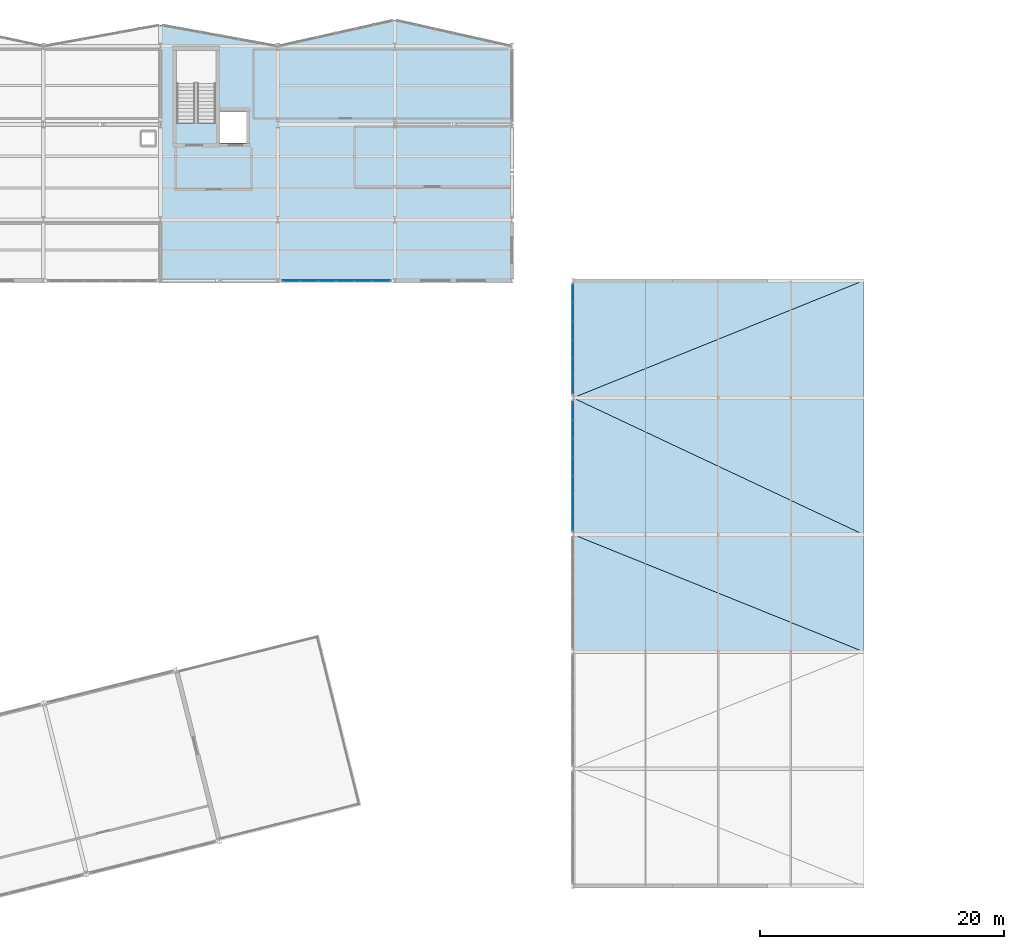
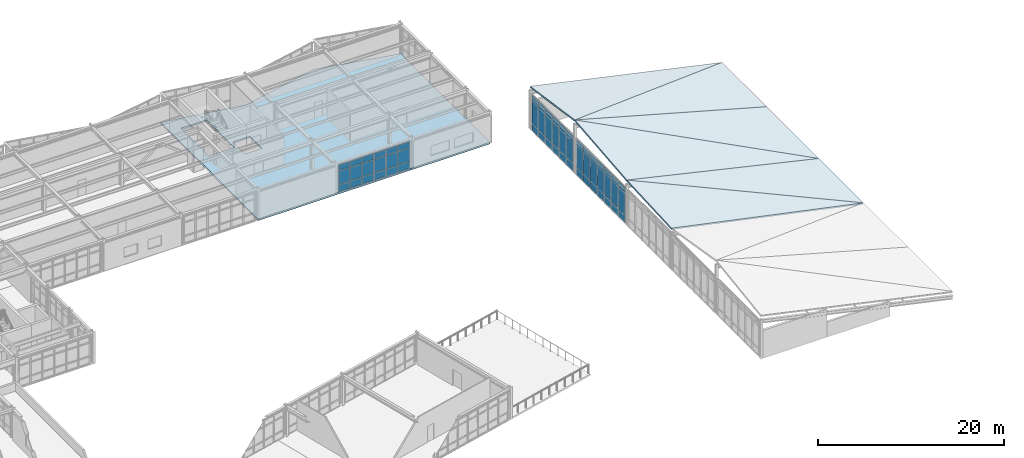
# One storey, part 49 of 64: 57 plates, 7 slabs, 3 elements without a shape of their own.
"""IFC4 building model written with IfcOpenShell, lengths in metres."""

from ifc_helpers import new_model, si_unit, direction, frame, origin, origin_2d, place, context, subcontext, project, spatial, polyline, rectangle, outline, extrude, material, layer, layer_set, type_object, element, aggregate, save


model = new_model("IFC4")

# Units and contexts
model_context = context("Model", 3, precision=1e-05, world=origin(), true_north=direction((0.0, 1.0)))
body_context = subcontext(model_context, "Body", "Model", "MODEL_VIEW")
ifc_project = project(units=[si_unit("LENGTHUNIT", "METRE"), si_unit("AREAUNIT", "SQUARE_METRE"), si_unit("VOLUMEUNIT", "CUBIC_METRE"), si_unit("PLANEANGLEUNIT", "RADIAN"), si_unit("MASSUNIT", "GRAM", prefix="KILO")], contexts=[model_context])

# Site, building, storey
site_placement = place(None, origin())
site = spatial("IfcSite", under=ifc_project, at=site_placement, CompositionType="ELEMENT")
building_placement = place(site_placement, origin())
building = spatial("IfcBuilding", under=site, at=building_placement, Name="Nordkorset Police Headquarters", CompositionType="ELEMENT")
storey_placement = place(building_placement, frame((0.0, 0.0, 17.85009765625)))
storey = spatial("IfcBuildingStorey", under=building, at=storey_placement, Name="L04", CompositionType="ELEMENT", Elevation=17.85009765625)

# Curtain wall, plates
ifc_material_1 = material(Name="Aluminium alloy AW-6060", Category="aluminium")
ifc_layer_1 = layer(ifc_material_1, 0.179931640625, Name="Aluminium alloy AW-6060")
ifc_layer_set_1 = layer_set([ifc_layer_1], Name="Aluminium alloy AW-6060")
curtain_wall_type_1 = type_object("IfcCurtainWallType", Name="CW_Unit_888x366", PredefinedType="USERDEFINED", material=ifc_layer_set_1)
curtain_wall_1_placement = place(storey_placement, origin())
curtain_wall_1 = element("IfcCurtainWall", 1, at=curtain_wall_1_placement, inside=storey, type_object=curtain_wall_type_1, Name="Unitised Curtain Wall L04 V2S-4", ObjectType="UNITISED CURTAIN WALL", PredefinedType="USERDEFINED")
ifc_material_2 = material(Name="Low-iron triple glazing", Category="glass")
ifc_layer_2 = layer(ifc_material_2, 0.035888671875, Name="Low-iron triple glazing")
ifc_layer_set_2 = layer_set([ifc_layer_2], Name="Low-iron triple glazing")
plate_type = type_object("IfcPlateType", Name="CW_Panel_TripleGlazing_36", PredefinedType="CURTAIN_PANEL", material=ifc_layer_set_2)
plate_1_placement = place(storey_placement, frame((68.316162109375, 97.60009765625, 0.06494140625), z_axis=(0.0, 0.0, 1.0), x_axis=(1.0, 0.0, 0.0)))
plate_1 = element("IfcPlate", 2, at=plate_1_placement, type_object=plate_type, Name="CW-19 panel 1.1", PredefinedType="CURTAIN_PANEL", context=body_context, shape_type="SweptSolid", body=[
    extrude(rectangle(XDim=1.382568359375, YDim=0.035888671875, at=origin_2d()), origin(), (0.0, 0.0, 1.0), 0.902587890625),
])
plate_2_placement = place(storey_placement, frame((68.316162109375, 97.60009765625, 1.0322265625), z_axis=(0.0, 0.0, 1.0), x_axis=(1.0, 0.0, 0.0)))
plate_2 = element("IfcPlate", 3, at=plate_2_placement, type_object=plate_type, Name="CW-19 panel 1.2", PredefinedType="CURTAIN_PANEL", context=body_context, shape_type="SweptSolid", body=[
    extrude(rectangle(XDim=1.382568359375, YDim=0.035888671875, at=origin_2d()), origin(), (0.0, 0.0, 1.0), 1.739990234375),
])
plate_3_placement = place(storey_placement, frame((68.316162109375, 97.60009765625, 2.83740234375), z_axis=(0.0, 0.0, 1.0), x_axis=(1.0, 0.0, 0.0)))
plate_3 = element("IfcPlate", 4, at=plate_3_placement, type_object=plate_type, Name="CW-19 panel 1.3", PredefinedType="CURTAIN_PANEL", context=body_context, shape_type="SweptSolid", body=[
    extrude(rectangle(XDim=1.382568359375, YDim=0.035888671875, at=origin_2d()), origin(), (0.0, 0.0, 1.0), 0.75244140625),
])
plate_4_placement = place(storey_placement, frame((69.780029296875, 97.60009765625, 0.06494140625), z_axis=(0.0, 0.0, 1.0), x_axis=(1.0, 0.0, 0.0)))
plate_4 = element("IfcPlate", 5, at=plate_4_placement, type_object=plate_type, Name="CW-19 panel 2.1", PredefinedType="CURTAIN_PANEL", context=body_context, shape_type="SweptSolid", body=[
    extrude(rectangle(XDim=1.4150390625, YDim=0.035888671875, at=origin_2d()), origin(), (0.0, 0.0, 1.0), 0.902587890625),
])
plate_5_placement = place(storey_placement, frame((69.780029296875, 97.60009765625, 1.0322265625), z_axis=(0.0, 0.0, 1.0), x_axis=(1.0, 0.0, 0.0)))
plate_5 = element("IfcPlate", 6, at=plate_5_placement, type_object=plate_type, Name="CW-19 panel 2.2", PredefinedType="CURTAIN_PANEL", context=body_context, shape_type="SweptSolid", body=[
    extrude(rectangle(XDim=1.4150390625, YDim=0.035888671875, at=origin_2d()), origin(), (0.0, 0.0, 1.0), 1.739990234375),
])
plate_6_placement = place(storey_placement, frame((69.780029296875, 97.60009765625, 2.83740234375), z_axis=(0.0, 0.0, 1.0), x_axis=(1.0, 0.0, 0.0)))
plate_6 = element("IfcPlate", 7, at=plate_6_placement, type_object=plate_type, Name="CW-19 panel 2.3", PredefinedType="CURTAIN_PANEL", context=body_context, shape_type="SweptSolid", body=[
    extrude(rectangle(XDim=1.4150390625, YDim=0.035888671875, at=origin_2d()), origin(), (0.0, 0.0, 1.0), 0.75244140625),
])
plate_7_placement = place(storey_placement, frame((71.260009765625, 97.60009765625, 0.06494140625), z_axis=(0.0, 0.0, 1.0), x_axis=(1.0, 0.0, 0.0)))
plate_7 = element("IfcPlate", 8, at=plate_7_placement, type_object=plate_type, Name="CW-19 panel 3.1", PredefinedType="CURTAIN_PANEL", context=body_context, shape_type="SweptSolid", body=[
    extrude(rectangle(XDim=1.4150390625, YDim=0.035888671875, at=origin_2d()), origin(), (0.0, 0.0, 1.0), 0.902587890625),
])
plate_8_placement = place(storey_placement, frame((71.260009765625, 97.60009765625, 1.0322265625), z_axis=(0.0, 0.0, 1.0), x_axis=(1.0, 0.0, 0.0)))
plate_8 = element("IfcPlate", 9, at=plate_8_placement, type_object=plate_type, Name="CW-19 panel 3.2", PredefinedType="CURTAIN_PANEL", context=body_context, shape_type="SweptSolid", body=[
    extrude(rectangle(XDim=1.4150390625, YDim=0.035888671875, at=origin_2d()), origin(), (0.0, 0.0, 1.0), 1.739990234375),
])
plate_9_placement = place(storey_placement, frame((71.260009765625, 97.60009765625, 2.83740234375), z_axis=(0.0, 0.0, 1.0), x_axis=(1.0, 0.0, 0.0)))
plate_9 = element("IfcPlate", 10, at=plate_9_placement, type_object=plate_type, Name="CW-19 panel 3.3", PredefinedType="CURTAIN_PANEL", context=body_context, shape_type="SweptSolid", body=[
    extrude(rectangle(XDim=1.4150390625, YDim=0.035888671875, at=origin_2d()), origin(), (0.0, 0.0, 1.0), 0.75244140625),
])
plate_10_placement = place(storey_placement, frame((72.739990234375, 97.60009765625, 0.06494140625), z_axis=(0.0, 0.0, 1.0), x_axis=(1.0, 0.0, 0.0)))
plate_10 = element("IfcPlate", 11, at=plate_10_placement, type_object=plate_type, Name="CW-19 panel 4.1", PredefinedType="CURTAIN_PANEL", context=body_context, shape_type="SweptSolid", body=[
    extrude(rectangle(XDim=1.4150390625, YDim=0.035888671875, at=origin_2d()), origin(), (0.0, 0.0, 1.0), 0.902587890625),
])
plate_11_placement = place(storey_placement, frame((72.739990234375, 97.60009765625, 1.0322265625), z_axis=(0.0, 0.0, 1.0), x_axis=(1.0, 0.0, 0.0)))
plate_11 = element("IfcPlate", 12, at=plate_11_placement, type_object=plate_type, Name="CW-19 panel 4.2", PredefinedType="CURTAIN_PANEL", context=body_context, shape_type="SweptSolid", body=[
    extrude(rectangle(XDim=1.4150390625, YDim=0.035888671875, at=origin_2d()), origin(), (0.0, 0.0, 1.0), 1.739990234375),
])
plate_12_placement = place(storey_placement, frame((72.739990234375, 97.60009765625, 2.83740234375), z_axis=(0.0, 0.0, 1.0), x_axis=(1.0, 0.0, 0.0)))
plate_12 = element("IfcPlate", 13, at=plate_12_placement, type_object=plate_type, Name="CW-19 panel 4.3", PredefinedType="CURTAIN_PANEL", context=body_context, shape_type="SweptSolid", body=[
    extrude(rectangle(XDim=1.4150390625, YDim=0.035888671875, at=origin_2d()), origin(), (0.0, 0.0, 1.0), 0.75244140625),
])
plate_13_placement = place(storey_placement, frame((74.219970703125, 97.60009765625, 0.06494140625), z_axis=(0.0, 0.0, 1.0), x_axis=(1.0, 0.0, 0.0)))
plate_13 = element("IfcPlate", 14, at=plate_13_placement, type_object=plate_type, Name="CW-19 panel 5.1", PredefinedType="CURTAIN_PANEL", context=body_context, shape_type="SweptSolid", body=[
    extrude(rectangle(XDim=1.4150390625, YDim=0.035888671875, at=origin_2d()), origin(), (0.0, 0.0, 1.0), 0.902587890625),
])
plate_14_placement = place(storey_placement, frame((74.219970703125, 97.60009765625, 1.0322265625), z_axis=(0.0, 0.0, 1.0), x_axis=(1.0, 0.0, 0.0)))
plate_14 = element("IfcPlate", 15, at=plate_14_placement, type_object=plate_type, Name="CW-19 panel 5.2", PredefinedType="CURTAIN_PANEL", context=body_context, shape_type="SweptSolid", body=[
    extrude(rectangle(XDim=1.4150390625, YDim=0.035888671875, at=origin_2d()), origin(), (0.0, 0.0, 1.0), 1.739990234375),
])
plate_15_placement = place(storey_placement, frame((74.219970703125, 97.60009765625, 2.83740234375), z_axis=(0.0, 0.0, 1.0), x_axis=(1.0, 0.0, 0.0)))
plate_15 = element("IfcPlate", 16, at=plate_15_placement, type_object=plate_type, Name="CW-19 panel 5.3", PredefinedType="CURTAIN_PANEL", context=body_context, shape_type="SweptSolid", body=[
    extrude(rectangle(XDim=1.4150390625, YDim=0.035888671875, at=origin_2d()), origin(), (0.0, 0.0, 1.0), 0.75244140625),
])
plate_16_placement = place(storey_placement, frame((75.683837890625, 97.60009765625, 0.06494140625), z_axis=(0.0, 0.0, 1.0), x_axis=(1.0, 0.0, 0.0)))
plate_16 = element("IfcPlate", 17, at=plate_16_placement, type_object=plate_type, Name="CW-19 panel 6.1", PredefinedType="CURTAIN_PANEL", context=body_context, shape_type="SweptSolid", body=[
    extrude(rectangle(XDim=1.382568359375, YDim=0.035888671875, at=origin_2d()), origin(), (0.0, 0.0, 1.0), 0.902587890625),
])
plate_17_placement = place(storey_placement, frame((75.683837890625, 97.60009765625, 1.0322265625), z_axis=(0.0, 0.0, 1.0), x_axis=(1.0, 0.0, 0.0)))
plate_17 = element("IfcPlate", 18, at=plate_17_placement, type_object=plate_type, Name="CW-19 panel 6.2", PredefinedType="CURTAIN_PANEL", context=body_context, shape_type="SweptSolid", body=[
    extrude(rectangle(XDim=1.382568359375, YDim=0.035888671875, at=origin_2d()), origin(), (0.0, 0.0, 1.0), 1.739990234375),
])
plate_18_placement = place(storey_placement, frame((75.683837890625, 97.60009765625, 2.83740234375), z_axis=(0.0, 0.0, 1.0), x_axis=(1.0, 0.0, 0.0)))
plate_18 = element("IfcPlate", 19, at=plate_18_placement, type_object=plate_type, Name="CW-19 panel 6.3", PredefinedType="CURTAIN_PANEL", context=body_context, shape_type="SweptSolid", body=[
    extrude(rectangle(XDim=1.382568359375, YDim=0.035888671875, at=origin_2d()), origin(), (0.0, 0.0, 1.0), 0.75244140625),
])
aggregate(curtain_wall_1, [plate_1, plate_2, plate_3, plate_4, plate_5, plate_6, plate_7, plate_8, plate_9, plate_10, plate_11, plate_12, plate_13, plate_14, plate_15, plate_16, plate_17, plate_18])

ifc_material_3 = material(Name="Aluminium alloy AW-6060", Category="aluminium")
ifc_layer_3 = layer(ifc_material_3, 0.179931640625, Name="Aluminium alloy AW-6060")
ifc_layer_set_3 = layer_set([ifc_layer_3], Name="Aluminium alloy AW-6060")
curtain_wall_type_2 = type_object("IfcCurtainWallType", Name="CW_Unit_1060x479", PredefinedType="USERDEFINED", material=ifc_layer_set_3)
curtain_wall_2_placement = place(storey_placement, origin())
curtain_wall_2 = element("IfcCurtainWall", 20, at=curtain_wall_2_placement, inside=storey, type_object=curtain_wall_type_2, Name="Unitised Curtain Wall L04 V5CLER-3", ObjectType="UNITISED CURTAIN WALL", PredefinedType="USERDEFINED")
plate_19_placement = place(storey_placement, frame((91.39990234375, 77.873291015625, 0.06494140625), z_axis=(0.0, 0.0, 1.0), x_axis=(0.0, 1.0, 0.0)))
plate_19 = element("IfcPlate", 21, at=plate_19_placement, type_object=plate_type, Name="CW-45 panel 1.1", PredefinedType="CURTAIN_PANEL", context=body_context, shape_type="SweptSolid", body=[
    extrude(rectangle(XDim=1.416748046875, YDim=0.035888671875, at=origin_2d()), origin(), (0.0, 0.0, 1.0), 0.902587890625),
])
plate_20_placement = place(storey_placement, frame((91.39990234375, 77.873291015625, 1.032470703125), z_axis=(0.0, 0.0, 1.0), x_axis=(0.0, 1.0, 0.0)))
plate_20 = element("IfcPlate", 22, at=plate_20_placement, type_object=plate_type, Name="CW-45 panel 1.2", PredefinedType="CURTAIN_PANEL", context=body_context, shape_type="SweptSolid", body=[
    extrude(rectangle(XDim=1.416748046875, YDim=0.035888671875, at=origin_2d()), origin(), (0.0, 0.0, 1.0), 2.875),
])
plate_21_placement = place(storey_placement, frame((91.39990234375, 77.873291015625, 3.972412109375), z_axis=(0.0, 0.0, 1.0), x_axis=(0.0, 1.0, 0.0)))
plate_21 = element("IfcPlate", 23, at=plate_21_placement, type_object=plate_type, Name="CW-45 panel 1.3", PredefinedType="CURTAIN_PANEL", context=body_context, shape_type="SweptSolid", body=[
    extrude(rectangle(XDim=1.416748046875, YDim=0.035888671875, at=origin_2d()), origin(), (0.0, 0.0, 1.0), 0.75244140625),
])
plate_22_placement = place(storey_placement, frame((91.39990234375, 79.371337890625, 0.06494140625), z_axis=(0.0, 0.0, 1.0), x_axis=(0.0, 1.0, 0.0)))
plate_22 = element("IfcPlate", 24, at=plate_22_placement, type_object=plate_type, Name="CW-45 panel 2.1", PredefinedType="CURTAIN_PANEL", context=body_context, shape_type="SweptSolid", body=[
    extrude(rectangle(XDim=1.44921875, YDim=0.035888671875, at=origin_2d()), origin(), (0.0, 0.0, 1.0), 0.902587890625),
])
plate_23_placement = place(storey_placement, frame((91.39990234375, 79.371337890625, 1.032470703125), z_axis=(0.0, 0.0, 1.0), x_axis=(0.0, 1.0, 0.0)))
plate_23 = element("IfcPlate", 25, at=plate_23_placement, type_object=plate_type, Name="CW-45 panel 2.2", PredefinedType="CURTAIN_PANEL", context=body_context, shape_type="SweptSolid", body=[
    extrude(rectangle(XDim=1.44921875, YDim=0.035888671875, at=origin_2d()), origin(), (0.0, 0.0, 1.0), 2.875),
])
plate_24_placement = place(storey_placement, frame((91.39990234375, 79.371337890625, 3.972412109375), z_axis=(0.0, 0.0, 1.0), x_axis=(0.0, 1.0, 0.0)))
plate_24 = element("IfcPlate", 26, at=plate_24_placement, type_object=plate_type, Name="CW-45 panel 2.3", PredefinedType="CURTAIN_PANEL", context=body_context, shape_type="SweptSolid", body=[
    extrude(rectangle(XDim=1.44921875, YDim=0.035888671875, at=origin_2d()), origin(), (0.0, 0.0, 1.0), 0.75244140625),
])
plate_25_placement = place(storey_placement, frame((91.39990234375, 80.8857421875, 0.06494140625), z_axis=(0.0, 0.0, 1.0), x_axis=(0.0, 1.0, 0.0)))
plate_25 = element("IfcPlate", 27, at=plate_25_placement, type_object=plate_type, Name="CW-45 panel 3.1", PredefinedType="CURTAIN_PANEL", context=body_context, shape_type="SweptSolid", body=[
    extrude(rectangle(XDim=1.44921875, YDim=0.035888671875, at=origin_2d()), origin(), (0.0, 0.0, 1.0), 0.902587890625),
])
plate_26_placement = place(storey_placement, frame((91.39990234375, 80.8857421875, 1.032470703125), z_axis=(0.0, 0.0, 1.0), x_axis=(0.0, 1.0, 0.0)))
plate_26 = element("IfcPlate", 28, at=plate_26_placement, type_object=plate_type, Name="CW-45 panel 3.2", PredefinedType="CURTAIN_PANEL", context=body_context, shape_type="SweptSolid", body=[
    extrude(rectangle(XDim=1.44921875, YDim=0.035888671875, at=origin_2d()), origin(), (0.0, 0.0, 1.0), 2.875),
])
plate_27_placement = place(storey_placement, frame((91.39990234375, 80.8857421875, 3.972412109375), z_axis=(0.0, 0.0, 1.0), x_axis=(0.0, 1.0, 0.0)))
plate_27 = element("IfcPlate", 29, at=plate_27_placement, type_object=plate_type, Name="CW-45 panel 3.3", PredefinedType="CURTAIN_PANEL", context=body_context, shape_type="SweptSolid", body=[
    extrude(rectangle(XDim=1.44921875, YDim=0.035888671875, at=origin_2d()), origin(), (0.0, 0.0, 1.0), 0.75244140625),
])
plate_28_placement = place(storey_placement, frame((91.39990234375, 82.39990234375, 0.06494140625), z_axis=(0.0, 0.0, 1.0), x_axis=(0.0, 1.0, 0.0)))
plate_28 = element("IfcPlate", 30, at=plate_28_placement, type_object=plate_type, Name="CW-45 panel 4.1", PredefinedType="CURTAIN_PANEL", context=body_context, shape_type="SweptSolid", body=[
    extrude(rectangle(XDim=1.44921875, YDim=0.035888671875, at=origin_2d()), origin(), (0.0, 0.0, 1.0), 0.902587890625),
])
plate_29_placement = place(storey_placement, frame((91.39990234375, 82.39990234375, 1.032470703125), z_axis=(0.0, 0.0, 1.0), x_axis=(0.0, 1.0, 0.0)))
plate_29 = element("IfcPlate", 31, at=plate_29_placement, type_object=plate_type, Name="CW-45 panel 4.2", PredefinedType="CURTAIN_PANEL", context=body_context, shape_type="SweptSolid", body=[
    extrude(rectangle(XDim=1.44921875, YDim=0.035888671875, at=origin_2d()), origin(), (0.0, 0.0, 1.0), 2.875),
])
plate_30_placement = place(storey_placement, frame((91.39990234375, 82.39990234375, 3.972412109375), z_axis=(0.0, 0.0, 1.0), x_axis=(0.0, 1.0, 0.0)))
plate_30 = element("IfcPlate", 32, at=plate_30_placement, type_object=plate_type, Name="CW-45 panel 4.3", PredefinedType="CURTAIN_PANEL", context=body_context, shape_type="SweptSolid", body=[
    extrude(rectangle(XDim=1.44921875, YDim=0.035888671875, at=origin_2d()), origin(), (0.0, 0.0, 1.0), 0.75244140625),
])
plate_31_placement = place(storey_placement, frame((91.39990234375, 83.914306640625, 0.06494140625), z_axis=(0.0, 0.0, 1.0), x_axis=(0.0, 1.0, 0.0)))
plate_31 = element("IfcPlate", 33, at=plate_31_placement, type_object=plate_type, Name="CW-45 panel 5.1", PredefinedType="CURTAIN_PANEL", context=body_context, shape_type="SweptSolid", body=[
    extrude(rectangle(XDim=1.44921875, YDim=0.035888671875, at=origin_2d()), origin(), (0.0, 0.0, 1.0), 0.902587890625),
])
plate_32_placement = place(storey_placement, frame((91.39990234375, 83.914306640625, 1.032470703125), z_axis=(0.0, 0.0, 1.0), x_axis=(0.0, 1.0, 0.0)))
plate_32 = element("IfcPlate", 34, at=plate_32_placement, type_object=plate_type, Name="CW-45 panel 5.2", PredefinedType="CURTAIN_PANEL", context=body_context, shape_type="SweptSolid", body=[
    extrude(rectangle(XDim=1.44921875, YDim=0.035888671875, at=origin_2d()), origin(), (0.0, 0.0, 1.0), 2.875),
])
plate_33_placement = place(storey_placement, frame((91.39990234375, 83.914306640625, 3.972412109375), z_axis=(0.0, 0.0, 1.0), x_axis=(0.0, 1.0, 0.0)))
plate_33 = element("IfcPlate", 35, at=plate_33_placement, type_object=plate_type, Name="CW-45 panel 5.3", PredefinedType="CURTAIN_PANEL", context=body_context, shape_type="SweptSolid", body=[
    extrude(rectangle(XDim=1.44921875, YDim=0.035888671875, at=origin_2d()), origin(), (0.0, 0.0, 1.0), 0.75244140625),
])
plate_34_placement = place(storey_placement, frame((91.39990234375, 85.428466796875, 0.06494140625), z_axis=(0.0, 0.0, 1.0), x_axis=(0.0, 1.0, 0.0)))
plate_34 = element("IfcPlate", 36, at=plate_34_placement, type_object=plate_type, Name="CW-45 panel 6.1", PredefinedType="CURTAIN_PANEL", context=body_context, shape_type="SweptSolid", body=[
    extrude(rectangle(XDim=1.44921875, YDim=0.035888671875, at=origin_2d()), origin(), (0.0, 0.0, 1.0), 0.902587890625),
])
plate_35_placement = place(storey_placement, frame((91.39990234375, 85.428466796875, 1.032470703125), z_axis=(0.0, 0.0, 1.0), x_axis=(0.0, 1.0, 0.0)))
plate_35 = element("IfcPlate", 37, at=plate_35_placement, type_object=plate_type, Name="CW-45 panel 6.2", PredefinedType="CURTAIN_PANEL", context=body_context, shape_type="SweptSolid", body=[
    extrude(rectangle(XDim=1.44921875, YDim=0.035888671875, at=origin_2d()), origin(), (0.0, 0.0, 1.0), 2.875),
])
plate_36_placement = place(storey_placement, frame((91.39990234375, 85.428466796875, 3.972412109375), z_axis=(0.0, 0.0, 1.0), x_axis=(0.0, 1.0, 0.0)))
plate_36 = element("IfcPlate", 38, at=plate_36_placement, type_object=plate_type, Name="CW-45 panel 6.3", PredefinedType="CURTAIN_PANEL", context=body_context, shape_type="SweptSolid", body=[
    extrude(rectangle(XDim=1.44921875, YDim=0.035888671875, at=origin_2d()), origin(), (0.0, 0.0, 1.0), 0.75244140625),
])
plate_37_placement = place(storey_placement, frame((91.39990234375, 86.926513671875, 0.06494140625), z_axis=(0.0, 0.0, 1.0), x_axis=(0.0, 1.0, 0.0)))
plate_37 = element("IfcPlate", 39, at=plate_37_placement, type_object=plate_type, Name="CW-45 panel 7.1", PredefinedType="CURTAIN_PANEL", context=body_context, shape_type="SweptSolid", body=[
    extrude(rectangle(XDim=1.416748046875, YDim=0.035888671875, at=origin_2d()), origin(), (0.0, 0.0, 1.0), 0.902587890625),
])
plate_38_placement = place(storey_placement, frame((91.39990234375, 86.926513671875, 1.032470703125), z_axis=(0.0, 0.0, 1.0), x_axis=(0.0, 1.0, 0.0)))
plate_38 = element("IfcPlate", 40, at=plate_38_placement, type_object=plate_type, Name="CW-45 panel 7.2", PredefinedType="CURTAIN_PANEL", context=body_context, shape_type="SweptSolid", body=[
    extrude(rectangle(XDim=1.416748046875, YDim=0.035888671875, at=origin_2d()), origin(), (0.0, 0.0, 1.0), 2.875),
])
plate_39_placement = place(storey_placement, frame((91.39990234375, 86.926513671875, 3.972412109375), z_axis=(0.0, 0.0, 1.0), x_axis=(0.0, 1.0, 0.0)))
plate_39 = element("IfcPlate", 41, at=plate_39_placement, type_object=plate_type, Name="CW-45 panel 7.3", PredefinedType="CURTAIN_PANEL", context=body_context, shape_type="SweptSolid", body=[
    extrude(rectangle(XDim=1.416748046875, YDim=0.035888671875, at=origin_2d()), origin(), (0.0, 0.0, 1.0), 0.75244140625),
])
aggregate(curtain_wall_2, [plate_19, plate_20, plate_21, plate_22, plate_23, plate_24, plate_25, plate_26, plate_27, plate_28, plate_29, plate_30, plate_31, plate_32, plate_33, plate_34, plate_35, plate_36, plate_37, plate_38, plate_39])

ifc_material_4 = material(Name="Aluminium alloy AW-6060", Category="aluminium")
ifc_layer_4 = layer(ifc_material_4, 0.179931640625, Name="Aluminium alloy AW-6060")
ifc_layer_set_4 = layer_set([ifc_layer_4], Name="Aluminium alloy AW-6060")
curtain_wall_type_3 = type_object("IfcCurtainWallType", Name="CW_Unit_900x479", PredefinedType="USERDEFINED", material=ifc_layer_set_4)
curtain_wall_3_placement = place(storey_placement, origin())
curtain_wall_3 = element("IfcCurtainWall", 42, at=curtain_wall_3_placement, inside=storey, type_object=curtain_wall_type_3, Name="Unitised Curtain Wall L04 V5CLER-4", ObjectType="UNITISED CURTAIN WALL", PredefinedType="USERDEFINED")
plate_40_placement = place(storey_placement, frame((91.39990234375, 89.066162109375, 0.06494140625), z_axis=(0.0, 0.0, 1.0), x_axis=(0.0, 1.0, 0.0)))
plate_40 = element("IfcPlate", 43, at=plate_40_placement, type_object=plate_type, Name="CW-89 panel 1.1", PredefinedType="CURTAIN_PANEL", context=body_context, shape_type="SweptSolid", body=[
    extrude(rectangle(XDim=1.402587890625, YDim=0.035888671875, at=origin_2d()), origin(), (0.0, 0.0, 1.0), 0.902587890625),
])
plate_41_placement = place(storey_placement, frame((91.39990234375, 89.066162109375, 1.032470703125), z_axis=(0.0, 0.0, 1.0), x_axis=(0.0, 1.0, 0.0)))
plate_41 = element("IfcPlate", 44, at=plate_41_placement, type_object=plate_type, Name="CW-89 panel 1.2", PredefinedType="CURTAIN_PANEL", context=body_context, shape_type="SweptSolid", body=[
    extrude(rectangle(XDim=1.402587890625, YDim=0.035888671875, at=origin_2d()), origin(), (0.0, 0.0, 1.0), 2.875),
])
plate_42_placement = place(storey_placement, frame((91.39990234375, 89.066162109375, 3.972412109375), z_axis=(0.0, 0.0, 1.0), x_axis=(0.0, 1.0, 0.0)))
plate_42 = element("IfcPlate", 45, at=plate_42_placement, type_object=plate_type, Name="CW-89 panel 1.3", PredefinedType="CURTAIN_PANEL", context=body_context, shape_type="SweptSolid", body=[
    extrude(rectangle(XDim=1.402587890625, YDim=0.035888671875, at=origin_2d()), origin(), (0.0, 0.0, 1.0), 0.75244140625),
])
plate_43_placement = place(storey_placement, frame((91.39990234375, 90.550048828125, 0.06494140625), z_axis=(0.0, 0.0, 1.0), x_axis=(0.0, 1.0, 0.0)))
plate_43 = element("IfcPlate", 46, at=plate_43_placement, type_object=plate_type, Name="CW-89 panel 2.1", PredefinedType="CURTAIN_PANEL", context=body_context, shape_type="SweptSolid", body=[
    extrude(rectangle(XDim=1.43505859375, YDim=0.035888671875, at=origin_2d()), origin(), (0.0, 0.0, 1.0), 0.902587890625),
])
plate_44_placement = place(storey_placement, frame((91.39990234375, 90.550048828125, 1.032470703125), z_axis=(0.0, 0.0, 1.0), x_axis=(0.0, 1.0, 0.0)))
plate_44 = element("IfcPlate", 47, at=plate_44_placement, type_object=plate_type, Name="CW-89 panel 2.2", PredefinedType="CURTAIN_PANEL", context=body_context, shape_type="SweptSolid", body=[
    extrude(rectangle(XDim=1.43505859375, YDim=0.035888671875, at=origin_2d()), origin(), (0.0, 0.0, 1.0), 2.875),
])
plate_45_placement = place(storey_placement, frame((91.39990234375, 90.550048828125, 3.972412109375), z_axis=(0.0, 0.0, 1.0), x_axis=(0.0, 1.0, 0.0)))
plate_45 = element("IfcPlate", 48, at=plate_45_placement, type_object=plate_type, Name="CW-89 panel 2.3", PredefinedType="CURTAIN_PANEL", context=body_context, shape_type="SweptSolid", body=[
    extrude(rectangle(XDim=1.43505859375, YDim=0.035888671875, at=origin_2d()), origin(), (0.0, 0.0, 1.0), 0.75244140625),
])
plate_46_placement = place(storey_placement, frame((91.39990234375, 92.050048828125, 0.06494140625), z_axis=(0.0, 0.0, 1.0), x_axis=(0.0, 1.0, 0.0)))
plate_46 = element("IfcPlate", 49, at=plate_46_placement, type_object=plate_type, Name="CW-89 panel 3.1", PredefinedType="CURTAIN_PANEL", context=body_context, shape_type="SweptSolid", body=[
    extrude(rectangle(XDim=1.43505859375, YDim=0.035888671875, at=origin_2d()), origin(), (0.0, 0.0, 1.0), 0.902587890625),
])
plate_47_placement = place(storey_placement, frame((91.39990234375, 92.050048828125, 1.032470703125), z_axis=(0.0, 0.0, 1.0), x_axis=(0.0, 1.0, 0.0)))
plate_47 = element("IfcPlate", 50, at=plate_47_placement, type_object=plate_type, Name="CW-89 panel 3.2", PredefinedType="CURTAIN_PANEL", context=body_context, shape_type="SweptSolid", body=[
    extrude(rectangle(XDim=1.43505859375, YDim=0.035888671875, at=origin_2d()), origin(), (0.0, 0.0, 1.0), 2.875),
])
plate_48_placement = place(storey_placement, frame((91.39990234375, 92.050048828125, 3.972412109375), z_axis=(0.0, 0.0, 1.0), x_axis=(0.0, 1.0, 0.0)))
plate_48 = element("IfcPlate", 51, at=plate_48_placement, type_object=plate_type, Name="CW-89 panel 3.3", PredefinedType="CURTAIN_PANEL", context=body_context, shape_type="SweptSolid", body=[
    extrude(rectangle(XDim=1.43505859375, YDim=0.035888671875, at=origin_2d()), origin(), (0.0, 0.0, 1.0), 0.75244140625),
])
plate_49_placement = place(storey_placement, frame((91.39990234375, 93.550048828125, 0.06494140625), z_axis=(0.0, 0.0, 1.0), x_axis=(0.0, 1.0, 0.0)))
plate_49 = element("IfcPlate", 52, at=plate_49_placement, type_object=plate_type, Name="CW-89 panel 4.1", PredefinedType="CURTAIN_PANEL", context=body_context, shape_type="SweptSolid", body=[
    extrude(rectangle(XDim=1.43505859375, YDim=0.035888671875, at=origin_2d()), origin(), (0.0, 0.0, 1.0), 0.902587890625),
])
plate_50_placement = place(storey_placement, frame((91.39990234375, 93.550048828125, 1.032470703125), z_axis=(0.0, 0.0, 1.0), x_axis=(0.0, 1.0, 0.0)))
plate_50 = element("IfcPlate", 53, at=plate_50_placement, type_object=plate_type, Name="CW-89 panel 4.2", PredefinedType="CURTAIN_PANEL", context=body_context, shape_type="SweptSolid", body=[
    extrude(rectangle(XDim=1.43505859375, YDim=0.035888671875, at=origin_2d()), origin(), (0.0, 0.0, 1.0), 2.875),
])
plate_51_placement = place(storey_placement, frame((91.39990234375, 93.550048828125, 3.972412109375), z_axis=(0.0, 0.0, 1.0), x_axis=(0.0, 1.0, 0.0)))
plate_51 = element("IfcPlate", 54, at=plate_51_placement, type_object=plate_type, Name="CW-89 panel 4.3", PredefinedType="CURTAIN_PANEL", context=body_context, shape_type="SweptSolid", body=[
    extrude(rectangle(XDim=1.43505859375, YDim=0.035888671875, at=origin_2d()), origin(), (0.0, 0.0, 1.0), 0.75244140625),
])
plate_52_placement = place(storey_placement, frame((91.39990234375, 95.050048828125, 0.06494140625), z_axis=(0.0, 0.0, 1.0), x_axis=(0.0, 1.0, 0.0)))
plate_52 = element("IfcPlate", 55, at=plate_52_placement, type_object=plate_type, Name="CW-89 panel 5.1", PredefinedType="CURTAIN_PANEL", context=body_context, shape_type="SweptSolid", body=[
    extrude(rectangle(XDim=1.43505859375, YDim=0.035888671875, at=origin_2d()), origin(), (0.0, 0.0, 1.0), 0.902587890625),
])
plate_53_placement = place(storey_placement, frame((91.39990234375, 95.050048828125, 1.032470703125), z_axis=(0.0, 0.0, 1.0), x_axis=(0.0, 1.0, 0.0)))
plate_53 = element("IfcPlate", 56, at=plate_53_placement, type_object=plate_type, Name="CW-89 panel 5.2", PredefinedType="CURTAIN_PANEL", context=body_context, shape_type="SweptSolid", body=[
    extrude(rectangle(XDim=1.43505859375, YDim=0.035888671875, at=origin_2d()), origin(), (0.0, 0.0, 1.0), 2.875),
])
plate_54_placement = place(storey_placement, frame((91.39990234375, 95.050048828125, 3.972412109375), z_axis=(0.0, 0.0, 1.0), x_axis=(0.0, 1.0, 0.0)))
plate_54 = element("IfcPlate", 57, at=plate_54_placement, type_object=plate_type, Name="CW-89 panel 5.3", PredefinedType="CURTAIN_PANEL", context=body_context, shape_type="SweptSolid", body=[
    extrude(rectangle(XDim=1.43505859375, YDim=0.035888671875, at=origin_2d()), origin(), (0.0, 0.0, 1.0), 0.75244140625),
])
plate_55_placement = place(storey_placement, frame((91.39990234375, 96.53369140625, 0.06494140625), z_axis=(0.0, 0.0, 1.0), x_axis=(0.0, 1.0, 0.0)))
plate_55 = element("IfcPlate", 58, at=plate_55_placement, type_object=plate_type, Name="CW-89 panel 6.1", PredefinedType="CURTAIN_PANEL", context=body_context, shape_type="SweptSolid", body=[
    extrude(rectangle(XDim=1.402587890625, YDim=0.035888671875, at=origin_2d()), origin(), (0.0, 0.0, 1.0), 0.902587890625),
])
plate_56_placement = place(storey_placement, frame((91.39990234375, 96.53369140625, 1.032470703125), z_axis=(0.0, 0.0, 1.0), x_axis=(0.0, 1.0, 0.0)))
plate_56 = element("IfcPlate", 59, at=plate_56_placement, type_object=plate_type, Name="CW-89 panel 6.2", PredefinedType="CURTAIN_PANEL", context=body_context, shape_type="SweptSolid", body=[
    extrude(rectangle(XDim=1.402587890625, YDim=0.035888671875, at=origin_2d()), origin(), (0.0, 0.0, 1.0), 2.875),
])
plate_57_placement = place(storey_placement, frame((91.39990234375, 96.53369140625, 3.972412109375), z_axis=(0.0, 0.0, 1.0), x_axis=(0.0, 1.0, 0.0)))
plate_57 = element("IfcPlate", 60, at=plate_57_placement, type_object=plate_type, Name="CW-89 panel 6.3", PredefinedType="CURTAIN_PANEL", context=body_context, shape_type="SweptSolid", body=[
    extrude(rectangle(XDim=1.402587890625, YDim=0.035888671875, at=origin_2d()), origin(), (0.0, 0.0, 1.0), 0.75244140625),
])
aggregate(curtain_wall_3, [plate_40, plate_41, plate_42, plate_43, plate_44, plate_45, plate_46, plate_47, plate_48, plate_49, plate_50, plate_51, plate_52, plate_53, plate_54, plate_55, plate_56, plate_57])

# Slabs
ifc_material_5 = material(Name="Concrete C35/45", Category="concrete")
ifc_layer_5 = layer(ifc_material_5, 0.219970703125, Name="Concrete C35/45")
ifc_layer_set_5 = layer_set([ifc_layer_5], Name="Concrete C35/45")
slab_type_1 = type_object("IfcSlabType", Name="Slab_Office_220", PredefinedType="FLOOR", material=ifc_layer_set_5)
slab_1_placement = place(storey_placement, frame((0.0, 0.0, -0.22021484375)))
element("IfcSlab", 61, at=slab_1_placement, inside=storey, type_object=slab_type_1, Name="Composite Floor Slab V2 East L04", PredefinedType="FLOOR", context=body_context, shape_type="SweptSolid", body=[
    extrude(outline(polyline([(67.199951171875, 116.800048828125), (76.800048828125, 118.949951171875), (86.39990234375, 116.800048828125), (86.39990234375, 97.60009765625), (57.60205078125, 97.60009765625), (57.60205078125, 118.550048828125), (67.199951171875, 116.800048828125)]), holes=[polyline([(58.925048828125, 116.47509765625), (58.925048828125, 110.528076171875), (62.125, 110.528076171875), (62.125, 116.47509765625), (58.925048828125, 116.47509765625)]), polyline([(64.625, 111.47509765625), (62.47509765625, 111.47509765625), (62.47509765625, 108.875), (64.625, 108.875), (64.625, 111.47509765625)])]), origin(), (0.0, 0.0, 1.0), 0.22021484375),
])
ifc_material_6 = material(Name="Concrete C35/45", Category="concrete")
ifc_layer_6 = layer(ifc_material_6, 0.175048828125, Name="Concrete C35/45")
ifc_layer_set_6 = layer_set([ifc_layer_6], Name="Concrete C35/45")
slab_type_2 = type_object("IfcSlabType", Name="Slab_RoofFold_175", PredefinedType="ROOF", material=ifc_layer_set_6)
slab_2_placement = place(storey_placement, frame((91.39990234375, 67.199951171875, 5.389892578125), z_axis=(0.205329049476, -0.050904080129, 0.977368280674), x_axis=(0.978637037678, 0.0, -0.205595594519)))
element("IfcSlab", 62, at=slab_2_placement, inside=storey, type_object=slab_type_2, Name="Gymnasium Folded Origami Roof Facet 3A", PredefinedType="ROOF", context=body_context, shape_type="SweptSolid", body=[
    extrude(outline(polyline([(0.0, 0.0), (24.31958725433337, 0.0), (-0.10279779725926635, 9.612559889145833), (0.0, 0.0)])), origin(), (0.0, 0.0, -1.0), 0.175048828125),
])
slab_3_placement = place(storey_placement, frame((115.199951171875, 67.199951171875, 0.389892578125), z_axis=(0.225158042301, 0.0, 0.974322254692), x_axis=(0.0, 1.0, 0.0)))
element("IfcSlab", 63, at=slab_3_placement, inside=storey, type_object=slab_type_2, Name="Gymnasium Folded Origami Roof Facet 3B", PredefinedType="ROOF", context=body_context, shape_type="SweptSolid", body=[
    extrude(outline(polyline([(0.0, 0.0), (9.60009765625, 0.0), (9.60009765625, 24.427286468642688), (0.0, 0.0)])), origin(), (0.0, 0.0, -1.0), 0.175048828125),
])
slab_4_placement = place(storey_placement, frame((91.39990234375, 76.800048828125, 5.889892578125), z_axis=(0.22413398987, -0.095266013228, 0.969890891445), x_axis=(0.974322254692, 0.0, -0.225158042301)))
element("IfcSlab", 64, at=slab_4_placement, inside=storey, type_object=slab_type_2, Name="Gymnasium Folded Origami Roof Facet 4A", PredefinedType="ROOF", context=body_context, shape_type="SweptSolid", body=[
    extrude(outline(polyline([(0.0, 0.0), (24.427286468642688, 1.1102230246251565e-16), (-0.24769583462092998, 11.251122960806283), (0.0, 0.0)])), origin(), (0.0, 0.0, -1.0), 0.175048828125),
])
slab_5_placement = place(storey_placement, frame((115.199951171875, 76.800048828125, 0.389892578125), z_axis=(0.267229351489, 0.0, 0.963632955903), x_axis=(0.0, 1.0, 0.0)))
element("IfcSlab", 65, at=slab_5_placement, inside=storey, type_object=slab_type_2, Name="Gymnasium Folded Origami Roof Facet 4B", PredefinedType="ROOF", context=body_context, shape_type="SweptSolid", body=[
    extrude(outline(polyline([(0.0, 0.0), (11.199951171875, 0.0), (11.199951171875, 24.69825121933071), (0.0, 0.0)])), origin(), (0.0, 0.0, -1.0), 0.175048828125),
])
slab_6_placement = place(storey_placement, frame((91.39990234375, 88.0, 6.989990234375), z_axis=(0.267229351489, 0.0, 0.963632955903), x_axis=(0.963632955903, 0.0, -0.267229351489)))
element("IfcSlab", 66, at=slab_6_placement, inside=storey, type_object=slab_type_2, Name="Gymnasium Folded Origami Roof Facet 5A", PredefinedType="ROOF", context=body_context, shape_type="SweptSolid", body=[
    extrude(outline(polyline([(0.0, 0.0), (24.69825121933071, 0.0), (24.69825121933071, 9.60009765625), (0.0, 0.0)])), origin(), (0.0, 0.0, -1.0), 0.175048828125),
])
slab_7_placement = place(storey_placement, frame((91.39990234375, 88.0, 6.989990234375), z_axis=(0.211315394653, 0.141061189944, 0.967185372446), x_axis=(0.898169096454, 0.362289636465, -0.249075276745)))
element("IfcSlab", 67, at=slab_7_placement, inside=storey, type_object=slab_type_2, Name="Gymnasium Folded Origami Roof Facet 5B", PredefinedType="ROOF", context=body_context, shape_type="SweptSolid", body=[
    extrude(outline(polyline([(0.0, 0.0), (26.49840539169683, -2.3314683517128287e-15), (3.8267577629875453, 8.915055255614458), (0.0, 0.0)])), origin(), (0.0, 0.0, -1.0), 0.175048828125),
])

save(model, "model.ifc")
